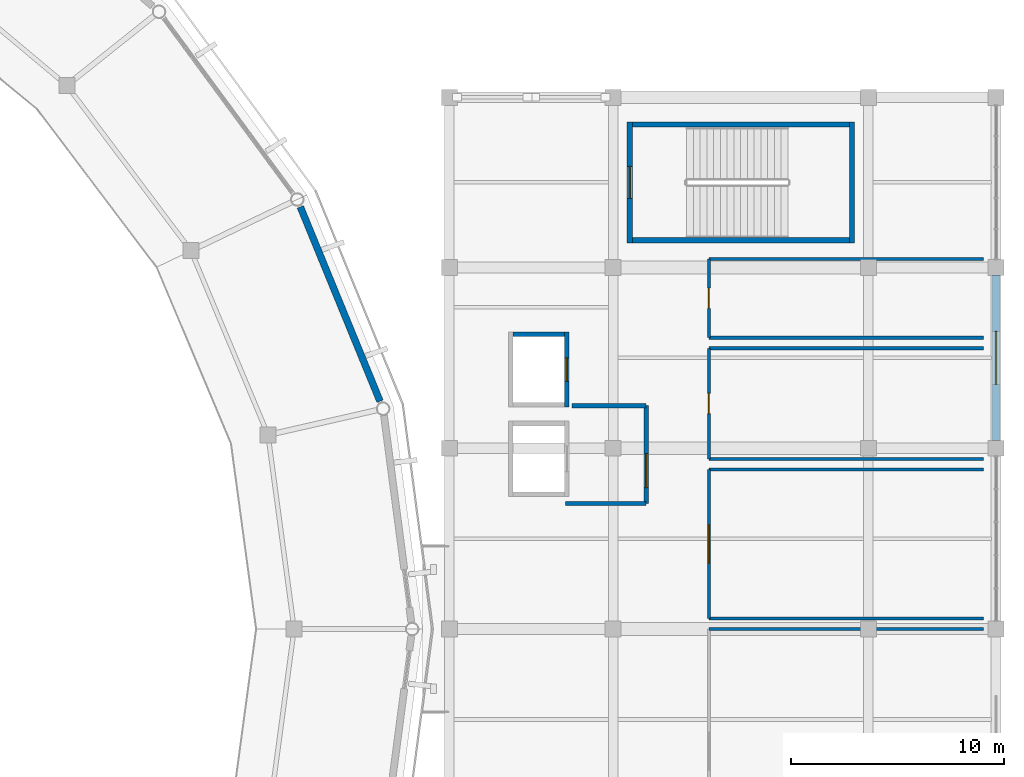
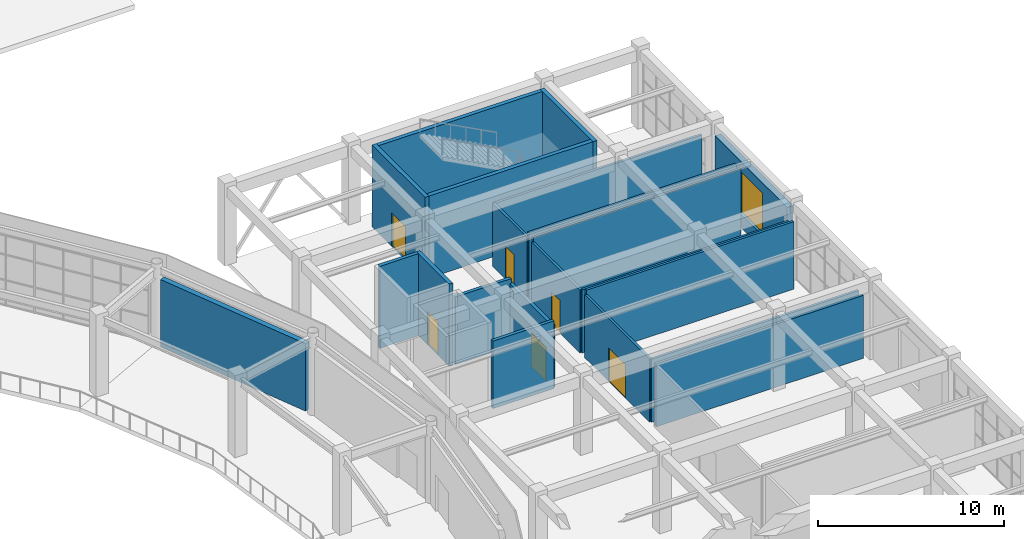
# One storey, part 58 of 70: 21 walls, 6 doors, 1 window, 7 openings.
"""IFC4 building model written with IfcOpenShell, lengths in metres."""

import ifcopenshell
import ifcopenshell.guid

model = None  # the IFC model being written
_history = None  # IfcOwnerHistory: only IFC2X3 demands one
_inside = {}  # id of a spatial element -> (the spatial element, [elements in it])
_under = {}  # id of a project, library or spatial element -> (it, [spatial elements below it])
_declared = {}  # id of a project -> (the project, [libraries it declares])
_typed = {}  # id of a type object -> (the type object, [elements of that type])
_made_of = {}  # id of a material, layer set ... -> (it, [elements and type objects made of it])


def new_model(schema):
    """Start an empty IFC model of exactly this schema.

    Asked for "IFC4X3", IfcOpenShell would pick the latest addendum, in which some entities
    have other attributes; the version numbers below select the first issue.
    IFC2X3 requires an IfcOwnerHistory on every rooted entity: one is made here for all.
    """
    global model, _history
    if schema == "IFC4X3":
        model = ifcopenshell.file(schema_version=(4, 3, 0, 0))
    else:
        model = ifcopenshell.file(schema=schema)
    _inside.clear()
    _under.clear()
    _declared.clear()
    _typed.clear()
    _made_of.clear()
    _history = None
    if model.schema == "IFC2X3":
        org = make("IfcOrganization", Name="unknown")
        user = make(
            "IfcPersonAndOrganization",
            ThePerson=make("IfcPerson", FamilyName="unknown"),
            TheOrganization=org,
        )
        app = make(
            "IfcApplication",
            ApplicationDeveloper=org,
            Version="unknown",
            ApplicationFullName="unknown",
            ApplicationIdentifier="unknown",
        )
        _history = make(
            "IfcOwnerHistory",
            OwningUser=user,
            OwningApplication=app,
            ChangeAction="ADDED",
            CreationDate=0,
        )
    return model


def make(cls, **values):
    """One entity of the class cls with the attributes given. An attribute that is None is left unset."""
    return model.create_entity(
        cls, **{name: value for name, value in values.items() if value is not None}
    )


def rooted(cls, **values):
    """An entity with a GlobalId (a new one), such as an element, a storey or a relation."""
    return make(cls, GlobalId=ifcopenshell.guid.new(), OwnerHistory=_history, **values)


def si_unit(unit_type, name, prefix=None):
    """IfcSIUnit, for example si_unit("LENGTHUNIT", "METRE", prefix="MILLI")."""
    return make("IfcSIUnit", UnitType=unit_type, Prefix=prefix, Name=name)


def assignment(units):
    """IfcUnitAssignment: the units of a project."""
    return None if units is None else make("IfcUnitAssignment", Units=units)


def point(xyz):
    """IfcCartesianPoint."""
    return None if xyz is None else make("IfcCartesianPoint", Coordinates=xyz)


def direction(xyz):
    """IfcDirection."""
    return None if xyz is None else make("IfcDirection", DirectionRatios=xyz)


def frame(location, z_axis=None, x_axis=None):
    """IfcAxis2Placement3D, a coordinate frame: its origin and axes. An axis left out is left unset."""
    return make(
        "IfcAxis2Placement3D",
        Location=point(location),
        Axis=direction(z_axis),
        RefDirection=direction(x_axis),
    )


def frame_2d(location, x_axis=None):
    """IfcAxis2Placement2D, a coordinate frame in the plane: its origin and x axis."""
    return make(
        "IfcAxis2Placement2D", Location=point(location), RefDirection=direction(x_axis)
    )


def origin():
    """The frame at (0, 0, 0) with its axes left unset."""
    return frame((0.0, 0.0, 0.0))


def place(relative_to, where):
    """IfcLocalPlacement: puts the frame where relative to a parent placement (None: the world)."""
    return make(
        "IfcLocalPlacement", PlacementRelTo=relative_to, RelativePlacement=where
    )


def context(
    kind, dimensions, precision=None, world=None, true_north=None, identifier=None
):
    """IfcGeometricRepresentationContext, for example the 3D "Model" context."""
    return make(
        "IfcGeometricRepresentationContext",
        ContextIdentifier=identifier,
        ContextType=kind,
        CoordinateSpaceDimension=dimensions,
        Precision=precision,
        WorldCoordinateSystem=world,
        TrueNorth=true_north,
    )


def subcontext(parent, identifier, kind, view, scale=None):
    """IfcGeometricRepresentationSubContext, for example "Body" below "Model"."""
    return make(
        "IfcGeometricRepresentationSubContext",
        ContextIdentifier=identifier,
        ContextType=kind,
        ParentContext=parent,
        TargetScale=scale,
        TargetView=view,
    )


def project(units=None, contexts=None):
    """IfcProject with its units and contexts."""
    return rooted(
        "IfcProject",
        Name="project",
        RepresentationContexts=contexts,
        UnitsInContext=assignment(units),
    )


def spatial(cls, under=None, at=None, **own):
    """A site, building, storey or space (cls), placed at a placement, below another one or the project."""
    s = rooted(cls, ObjectPlacement=at, **own)
    if under is not None:
        _under.setdefault(under.id(), (under, []))[1].append(s)
    return s


def profile(cls, at=None, kind="AREA", **sizes):
    """A parametric profile (cls). Its sizes go by their IFC names, for example OverallWidth=200.0."""
    return make(cls, ProfileType=kind, Position=at, **sizes)


def rectangle(**sizes):
    """IfcRectangleProfileDef."""
    return profile("IfcRectangleProfileDef", **sizes)


def extrude(swept, where, along, depth):
    """IfcExtrudedAreaSolid: the profile swept, set in the frame where, extruded along a direction by depth."""
    return make(
        "IfcExtrudedAreaSolid",
        SweptArea=swept,
        Position=where,
        ExtrudedDirection=direction(along),
        Depth=depth,
    )


def shape(context_of_items, identifier, shape_type, items):
    """IfcShapeRepresentation: the items that make up one representation, for example the "Body"."""
    return make(
        "IfcShapeRepresentation",
        ContextOfItems=context_of_items,
        RepresentationIdentifier=identifier,
        RepresentationType=shape_type,
        Items=items,
    )


def material(Name=None, Category=None):
    """IfcMaterial."""
    return make("IfcMaterial", Name=Name, Category=Category)


def layer(
    of_material, thickness, ventilated=None, Name=None, Category=None, Priority=None
):
    """IfcMaterialLayer: one layer of a wall or slab, of a material (None: an air gap)."""
    return make(
        "IfcMaterialLayer",
        Material=of_material,
        LayerThickness=thickness,
        IsVentilated=ventilated,
        Name=Name,
        Category=Category,
        Priority=Priority,
    )


def layer_set(layers, Name=None):
    """IfcMaterialLayerSet."""
    return make("IfcMaterialLayerSet", MaterialLayers=layers, LayerSetName=Name)


def made_of(thing, what):
    """Note that an element or type object is made of a material, layer set ...; save() writes the relation."""
    if what is not None:
        _made_of.setdefault(what.id(), (what, []))[1].append(thing)
    return thing


def type_object(cls, material=None, **own):
    """A type object (cls), such as IfcWallType, which elements share."""
    return made_of(rooted(cls, **own), material)


def element(
    cls,
    number,
    at=None,
    inside=None,
    cuts=None,
    type_object=None,
    material=None,
    context=None,
    identifier="Body",
    shape_type=None,
    held_by="IfcProductDefinitionShape",
    body=None,
    shapes=None,
    **own,
):
    """One element of the class cls, such as IfcWall. Its Tag is "e" and its number.

    at: its placement. inside: the storey or other place that contains it. cuts: it is an
    opening in that element (IfcRelVoidsElement). A single representation is given by context,
    identifier, shape_type and body (its items); several are given by shapes. held_by: the class
    of the entity that holds the representations. save() writes the other relations.
    """
    e = rooted(cls, Tag="e%d" % number, ObjectPlacement=at, **own)
    if body is not None:
        shapes = [shape(context, identifier, shape_type, body)]
    if shapes is not None:
        e.Representation = make(held_by, Representations=shapes)
    if inside is not None:
        _inside.setdefault(inside.id(), (inside, []))[1].append(e)
    if cuts is not None:
        rooted(
            "IfcRelVoidsElement", RelatingBuildingElement=cuts, RelatedOpeningElement=e
        )
    if type_object is not None:
        _typed.setdefault(type_object.id(), (type_object, []))[1].append(e)
    return made_of(e, material)


def fill(opening, filler):
    """IfcRelFillsElement: the door or window that sits in an opening."""
    return rooted(
        "IfcRelFillsElement",
        RelatingOpeningElement=opening,
        RelatedBuildingElement=filler,
    )


def aggregate(whole, parts):
    """IfcRelAggregates: a whole, such as a stair, and the parts it consists of."""
    return rooted("IfcRelAggregates", RelatingObject=whole, RelatedObjects=parts)


def save(model, path):
    """Write the relations noted so far, then the file.

    IfcRelAggregates (storeys below a building ...), IfcRelContainedInSpatialStructure (elements
    in a storey), IfcRelDefinesByType, IfcRelAssociatesMaterial and IfcRelDeclares: one each for
    every whole, place, type object, material and project.
    """
    for whole, parts in _under.values():
        aggregate(whole, parts)
    for where, things in _inside.values():
        rooted(
            "IfcRelContainedInSpatialStructure",
            RelatedElements=things,
            RelatingStructure=where,
        )
    for kind, things in _typed.values():
        rooted("IfcRelDefinesByType", RelatedObjects=things, RelatingType=kind)
    for what, things in _made_of.values():
        rooted("IfcRelAssociatesMaterial", RelatedObjects=things, RelatingMaterial=what)
    for by, libraries in _declared.values():
        rooted("IfcRelDeclares", RelatingContext=by, RelatedDefinitions=libraries)
    model.write(path)


model = new_model("IFC4")

# Units and contexts
model_context = context("Model", 3, precision=1e-05, world=origin(), true_north=direction((0.0, 1.0)))
body_context = subcontext(model_context, "Body", "Model", "MODEL_VIEW")
ifc_project = project(units=[si_unit("LENGTHUNIT", "METRE"), si_unit("AREAUNIT", "SQUARE_METRE"), si_unit("VOLUMEUNIT", "CUBIC_METRE"), si_unit("PLANEANGLEUNIT", "RADIAN"), si_unit("MASSUNIT", "GRAM", prefix="KILO")], contexts=[model_context])

# Site, building, storey
site_placement = place(None, origin())
site = spatial("IfcSite", under=ifc_project, at=site_placement, CompositionType="ELEMENT")
building_placement = place(site_placement, origin())
building = spatial("IfcBuilding", under=site, at=building_placement, Name="Cuetzalor Civic Arena", CompositionType="ELEMENT")
storey_placement = place(building_placement, frame((0.0, 0.0, 21.0)))
storey = spatial("IfcBuildingStorey", under=building, at=storey_placement, Name="L04", CompositionType="ELEMENT", Elevation=21.0)

# Walls
ifc_material_1 = material(Name="Acoustic steel-stud gypsum partition", Category="steel")
ifc_layer_1 = layer(ifc_material_1, 0.14990234375)
ifc_layer_set_1 = layer_set([ifc_layer_1], Name="Acoustic steel-stud gypsum partition")
wall_type_1 = type_object("IfcWallType", Name="AcousticGypsumPartition_150", PredefinedType="PARTITIONING", material=ifc_layer_set_1)
wall_1_placement = place(storey_placement, frame((68.5, 0.0, 0.0), z_axis=(0.0, 0.0, 1.0), x_axis=(1.0, 0.0, 0.0)))
element("IfcWall", 1, at=wall_1_placement, inside=storey, type_object=wall_type_1, Name="Interior Partition IWALL:L04:0526", PredefinedType="PARTITIONING", context=body_context, shape_type="SweptSolid", body=[
    extrude(rectangle(XDim=12.89990234375, YDim=0.14990234375, at=frame_2d((6.449951171875, 0.0))), origin(), (0.0, 0.0, 1.0), 4.14501953125),
])
wall_2_placement = place(storey_placement, frame((68.5, 7.5, 0.0), z_axis=(0.0, 0.0, 1.0), x_axis=(1.0, 0.0, 0.0)))
element("IfcWall", 2, at=wall_2_placement, inside=storey, type_object=wall_type_1, Name="Interior Partition IWALL:L04:0529", PredefinedType="PARTITIONING", context=body_context, shape_type="SweptSolid", body=[
    extrude(rectangle(XDim=12.89990234375, YDim=0.14990234375, at=frame_2d((6.449951171875, 0.0))), origin(), (0.0, 0.0, 1.0), 4.445068359375),
])
wall_3_placement = place(storey_placement, frame((81.39990234375, 0.5, 0.0), z_axis=(0.0, 0.0, 1.0), x_axis=(-1.0, 0.0, 0.0)))
element("IfcWall", 3, at=wall_3_placement, inside=storey, type_object=wall_type_1, Name="Interior Partition IWALL:L04:0530", PredefinedType="PARTITIONING", context=body_context, shape_type="SweptSolid", body=[
    extrude(rectangle(XDim=12.89990234375, YDim=0.14990234375, at=frame_2d((6.449951171875, 0.0))), origin(), (0.0, 0.0, 1.0), 4.14501953125),
])

# Wall, opening, door
wall_4_placement = place(storey_placement, frame((68.5, 0.5, 0.0), z_axis=(0.0, 0.0, 1.0), x_axis=(0.0, 1.0, 0.0)))
wall_4 = element("IfcWall", 4, at=wall_4_placement, inside=storey, type_object=wall_type_1, Name="Interior Partition IWALL:L04:0531", PredefinedType="PARTITIONING", context=body_context, shape_type="SweptSolid", body=[
    extrude(rectangle(XDim=7.0, YDim=0.14990234375, at=frame_2d((3.5, 0.0))), origin(), (0.0, 0.0, 1.0), 4.14501953125),
])
opening_1_placement = place(wall_4_placement, frame((2.60009765625, 0.0, 0.0)))
opening_1 = element("IfcOpeningElement", 5, at=opening_1_placement, cuts=wall_4, Name="Opening ID-06", PredefinedType="OPENING", context=body_context, shape_type="SweptSolid", body=[
    extrude(rectangle(XDim=1.800048828125, YDim=2.199951171875, at=frame_2d((0.89990234375, 1.10009765625))), frame((0.0, 0.0849609375, 0.0), z_axis=(0.0, -1.0, 0.0), x_axis=(1.0, 0.0, 0.0)), (0.0, 0.0, 1.0), 0.169921875),
])
ifc_material_2 = material(Name="Glazed bronze acoustic double door", Category="metal")
door_type_1 = type_object("IfcDoorType", Name="PublicDoubleDoor_1800x2200", OperationType="DOUBLE_DOOR_SINGLE_SWING", PredefinedType="DOOR", material=ifc_material_2)
door_1_placement = place(opening_1_placement, origin())
door_1 = element("IfcDoor", 6, at=door_1_placement, inside=storey, type_object=door_type_1, Name="Door to Panoramic Terrace Bar East L04", OperationType="DOUBLE_DOOR_SINGLE_SWING", OverallHeight=2.199951171875, OverallWidth=1.800048828125, PredefinedType="DOOR", context=body_context, shape_type="SweptSolid", body=[
    extrude(rectangle(XDim=1.800048828125, YDim=2.199951171875, at=frame_2d((0.89990234375, 1.10009765625))), frame((0.0, 0.02490234375, 0.0), z_axis=(0.0, -1.0, 0.0), x_axis=(1.0, 0.0, 0.0)), (0.0, 0.0, 1.0), 0.050048828125),
])
fill(opening_1, door_1)

# Walls
wall_5_placement = place(storey_placement, frame((68.5, 13.199951171875, 0.0), z_axis=(0.0, 0.0, 1.0), x_axis=(1.0, 0.0, 0.0)))
element("IfcWall", 7, at=wall_5_placement, inside=storey, type_object=wall_type_1, Name="Interior Partition IWALL:L04:0532", PredefinedType="PARTITIONING", context=body_context, shape_type="SweptSolid", body=[
    extrude(rectangle(XDim=12.89990234375, YDim=0.14990234375, at=frame_2d((6.449951171875, 0.0))), origin(), (0.0, 0.0, 1.0), 4.445068359375),
])
wall_6_placement = place(storey_placement, frame((81.39990234375, 8.0, 0.0), z_axis=(0.0, 0.0, 1.0), x_axis=(-1.0, 0.0, 0.0)))
element("IfcWall", 8, at=wall_6_placement, inside=storey, type_object=wall_type_1, Name="Interior Partition IWALL:L04:0533", PredefinedType="PARTITIONING", context=body_context, shape_type="SweptSolid", body=[
    extrude(rectangle(XDim=12.89990234375, YDim=0.14990234375, at=frame_2d((6.449951171875, 0.0))), origin(), (0.0, 0.0, 1.0), 4.14501953125),
])

# Wall, opening, door
wall_7_placement = place(storey_placement, frame((68.5, 8.0, 0.0), z_axis=(0.0, 0.0, 1.0), x_axis=(0.0, 1.0, 0.0)))
wall_7 = element("IfcWall", 9, at=wall_7_placement, inside=storey, type_object=wall_type_1, Name="Interior Partition IWALL:L04:0534", PredefinedType="PARTITIONING", context=body_context, shape_type="SweptSolid", body=[
    extrude(rectangle(XDim=5.199951171875, YDim=0.14990234375, at=frame_2d((2.60009765625, 0.0))), origin(), (0.0, 0.0, 1.0), 4.14501953125),
])
opening_2_placement = place(wall_7_placement, frame((2.125, 0.0, 0.0)))
opening_2 = element("IfcOpeningElement", 10, at=opening_2_placement, cuts=wall_7, Name="Opening ID-03", PredefinedType="OPENING", context=body_context, shape_type="SweptSolid", body=[
    extrude(rectangle(XDim=0.949951171875, YDim=2.14990234375, at=frame_2d((0.47509765625, 1.074951171875))), frame((0.0, 0.0849609375, 0.0), z_axis=(0.0, -1.0, 0.0), x_axis=(1.0, 0.0, 0.0)), (0.0, 0.0, 1.0), 0.169921875),
])
ifc_material_3 = material(Name="Painted steel frame and solid timber leaf", Category="steel")
door_type_2 = type_object("IfcDoorType", Name="InteriorSingleDoor_950x2150", OperationType="NOTDEFINED", PredefinedType="DOOR", material=ifc_material_3)
door_2_placement = place(opening_2_placement, origin())
door_2 = element("IfcDoor", 11, at=door_2_placement, inside=storey, type_object=door_type_2, Name="Door to Public Restroom East L04", OperationType="SINGLE_SWING_LEFT", OverallHeight=2.14990234375, OverallWidth=0.949951171875, PredefinedType="DOOR", context=body_context, shape_type="SweptSolid", body=[
    extrude(rectangle(XDim=0.949951171875, YDim=2.14990234375, at=frame_2d((0.47509765625, 1.074951171875))), frame((0.0, 0.02490234375, 0.0), z_axis=(0.0, -1.0, 0.0), x_axis=(1.0, 0.0, 0.0)), (0.0, 0.0, 1.0), 0.050048828125),
])
fill(opening_2, door_2)

# Walls
wall_8_placement = place(storey_placement, frame((68.5, 17.39990234375, 0.0), z_axis=(0.0, 0.0, 1.0), x_axis=(1.0, 0.0, 0.0)))
element("IfcWall", 12, at=wall_8_placement, inside=storey, type_object=wall_type_1, Name="Interior Partition IWALL:L04:0535", PredefinedType="PARTITIONING", context=body_context, shape_type="SweptSolid", body=[
    extrude(rectangle(XDim=12.89990234375, YDim=0.14990234375, at=frame_2d((6.449951171875, 0.0))), origin(), (0.0, 0.0, 1.0), 4.14501953125),
])
wall_9_placement = place(storey_placement, frame((81.39990234375, 13.699951171875, 0.0), z_axis=(0.0, 0.0, 1.0), x_axis=(-1.0, 0.0, 0.0)))
element("IfcWall", 13, at=wall_9_placement, inside=storey, type_object=wall_type_1, Name="Interior Partition IWALL:L04:0536", PredefinedType="PARTITIONING", context=body_context, shape_type="SweptSolid", body=[
    extrude(rectangle(XDim=12.89990234375, YDim=0.14990234375, at=frame_2d((6.449951171875, 0.0))), origin(), (0.0, 0.0, 1.0), 4.445068359375),
])

# Wall, opening, door
wall_10_placement = place(storey_placement, frame((68.5, 13.699951171875, 0.0), z_axis=(0.0, 0.0, 1.0), x_axis=(0.0, 1.0, 0.0)))
wall_10 = element("IfcWall", 14, at=wall_10_placement, inside=storey, type_object=wall_type_1, Name="Interior Partition IWALL:L04:0537", PredefinedType="PARTITIONING", context=body_context, shape_type="SweptSolid", body=[
    extrude(rectangle(XDim=3.699951171875, YDim=0.14990234375, at=frame_2d((1.85009765625, 0.0))), origin(), (0.0, 0.0, 1.0), 4.14501953125),
])
opening_3_placement = place(wall_10_placement, frame((1.375, 0.0, 0.0)))
opening_3 = element("IfcOpeningElement", 15, at=opening_3_placement, cuts=wall_10, Name="Opening ID-03", PredefinedType="OPENING", context=body_context, shape_type="SweptSolid", body=[
    extrude(rectangle(XDim=0.949951171875, YDim=2.14990234375, at=frame_2d((0.47509765625, 1.074951171875))), frame((0.0, 0.0849609375, 0.0), z_axis=(0.0, -1.0, 0.0), x_axis=(1.0, 0.0, 0.0)), (0.0, 0.0, 1.0), 0.169921875),
])
door_3_placement = place(opening_3_placement, origin())
door_3 = element("IfcDoor", 16, at=door_3_placement, inside=storey, type_object=door_type_2, Name="Door to Accessible WC East L04", OperationType="SINGLE_SWING_RIGHT", OverallHeight=2.14990234375, OverallWidth=0.949951171875, PredefinedType="DOOR", context=body_context, shape_type="SweptSolid", body=[
    extrude(rectangle(XDim=0.949951171875, YDim=2.14990234375, at=frame_2d((0.47509765625, 1.074951171875))), frame((0.0, 0.02490234375, 0.0), z_axis=(0.0, -1.0, 0.0), x_axis=(1.0, 0.0, 0.0)), (0.0, 0.0, 1.0), 0.050048828125),
])
fill(opening_3, door_3)

ifc_material_4 = material(Name="Concrete C40/50", Category="concrete")
ifc_layer_2 = layer(ifc_material_4, 0.25)
ifc_layer_set_2 = layer_set([ifc_layer_2], Name="Concrete C40/50")
wall_type_2 = type_object("IfcWallType", Name="ConcreteCoreShearWall_250", PredefinedType="SHEAR", material=ifc_layer_set_2)
wall_11_placement = place(storey_placement, frame((64.77490234375, 18.14990234375, 0.0), z_axis=(0.0, 0.0, 1.0), x_axis=(0.0, 1.0, 0.0)))
wall_11 = element("IfcWall", 17, at=wall_11_placement, inside=storey, type_object=wall_type_2, Name="Stair Core Shear Wall ST-22-L04-W", PredefinedType="SHEAR", context=body_context, shape_type="SweptSolid", body=[
    extrude(rectangle(XDim=5.7001953125, YDim=0.25, at=frame_2d((2.85009765625, 0.0))), origin(), (0.0, 0.0, 1.0), 5.39990234375),
])
opening_4_placement = place(wall_11_placement, frame((2.10009765625, 0.0, 0.0)))
opening_4 = element("IfcOpeningElement", 18, at=opening_4_placement, cuts=wall_11, Name="Opening FD-03", PredefinedType="OPENING", context=body_context, shape_type="SweptSolid", body=[
    extrude(rectangle(XDim=1.5, YDim=2.199951171875, at=frame_2d((0.75, 1.10009765625))), frame((0.0, 0.135009765625, 0.0), z_axis=(0.0, -1.0, 0.0), x_axis=(1.0, 0.0, 0.0)), (0.0, 0.0, 1.0), 0.27001953125),
])
ifc_material_5 = material(Name="Fire-rated steel stair exit double door", Category="steel")
door_type_3 = type_object("IfcDoorType", Name="StairFireDoubleDoor_1500x2200", OperationType="DOUBLE_DOOR_SINGLE_SWING", PredefinedType="DOOR", material=ifc_material_5)
door_4_placement = place(opening_4_placement, origin())
door_4 = element("IfcDoor", 19, at=door_4_placement, inside=storey, type_object=door_type_3, Name="Fire Stair Door ST-22 L04", OperationType="DOUBLE_DOOR_SINGLE_SWING", OverallHeight=2.199951171875, OverallWidth=1.5, PredefinedType="DOOR", context=body_context, shape_type="SweptSolid", body=[
    extrude(rectangle(XDim=1.5, YDim=2.199951171875, at=frame_2d((0.75, 1.10009765625))), frame((0.0, 0.02490234375, 0.0), z_axis=(0.0, -1.0, 0.0), x_axis=(1.0, 0.0, 0.0)), (0.0, 0.0, 1.0), 0.050048828125),
])
fill(opening_4, door_4)

# Walls
wall_12_placement = place(storey_placement, frame((64.89990234375, 23.72509765625, 0.0), z_axis=(0.0, 0.0, 1.0), x_axis=(1.0, 0.0, 0.0)))
element("IfcWall", 20, at=wall_12_placement, inside=storey, type_object=wall_type_2, Name="Stair Core Shear Wall ST-22-L04-N", PredefinedType="SHEAR", context=body_context, shape_type="SweptSolid", body=[
    extrude(rectangle(XDim=10.2001953125, YDim=0.25, at=frame_2d((5.10009765625, 0.0))), origin(), (0.0, 0.0, 1.0), 5.39990234375),
])
wall_13_placement = place(storey_placement, frame((75.22509765625, 23.85009765625, 0.0), z_axis=(0.0, 0.0, 1.0), x_axis=(0.0, -1.0, 0.0)))
element("IfcWall", 21, at=wall_13_placement, inside=storey, type_object=wall_type_2, Name="Stair Core Shear Wall ST-22-L04-E", PredefinedType="SHEAR", context=body_context, shape_type="SweptSolid", body=[
    extrude(rectangle(XDim=5.7001953125, YDim=0.25, at=frame_2d((2.85009765625, 0.0))), origin(), (0.0, 0.0, 1.0), 5.39990234375),
])
wall_14_placement = place(storey_placement, frame((75.10009765625, 18.27490234375, 0.0), z_axis=(0.0, 0.0, 1.0), x_axis=(-1.0, 0.0, 0.0)))
element("IfcWall", 22, at=wall_14_placement, inside=storey, type_object=wall_type_2, Name="Stair Core Shear Wall ST-22-L04-S", PredefinedType="SHEAR", context=body_context, shape_type="SweptSolid", body=[
    extrude(rectangle(XDim=10.2001953125, YDim=0.25, at=frame_2d((5.10009765625, 0.0))), origin(), (0.0, 0.0, 1.0), 5.39990234375),
])

# Wall, opening, door
ifc_material_6 = material(Name="Fire-rated masonry and gypsum partition", Category="masonry")
ifc_layer_3 = layer(ifc_material_6, 0.199951171875)
ifc_layer_set_3 = layer_set([ifc_layer_3], Name="Fire-rated masonry and gypsum partition")
wall_type_3 = type_object("IfcWallType", Name="FireCompartmentWall_200", PredefinedType="PARTITIONING", material=ifc_layer_set_3)
wall_15_placement = place(storey_placement, frame((65.550048828125, 10.5, 0.0), z_axis=(0.0, 0.0, 1.0), x_axis=(0.0, -1.0, 0.0)))
wall_15 = element("IfcWall", 23, at=wall_15_placement, inside=storey, type_object=wall_type_3, Name="Interior Partition IWALL:L04:0067", PredefinedType="PARTITIONING", context=body_context, shape_type="SweptSolid", body=[
    extrude(rectangle(XDim=4.60009765625, YDim=0.199951171875, at=frame_2d((2.300048828125, 0.0))), origin(), (0.0, 0.0, 1.0), 4.14501953125),
])
opening_5_placement = place(wall_15_placement, frame((2.25, 0.0, 0.0)))
opening_5 = element("IfcOpeningElement", 24, at=opening_5_placement, cuts=wall_15, Name="Opening FD-05", PredefinedType="OPENING", context=body_context, shape_type="SweptSolid", body=[
    extrude(rectangle(XDim=1.60009765625, YDim=2.199951171875, at=frame_2d((0.800048828125, 1.10009765625))), frame((0.0, 0.10986328125, 0.0), z_axis=(0.0, -1.0, 0.0), x_axis=(1.0, 0.0, 0.0)), (0.0, 0.0, 1.0), 0.219970703125),
])
ifc_material_7 = material(Name="Fire-rated smoke-seal lobby double door", Category="steel")
door_type_4 = type_object("IfcDoorType", Name="FireLobbyDoubleDoor_1600x2200", OperationType="DOUBLE_DOOR_SINGLE_SWING", PredefinedType="DOOR", material=ifc_material_7)
door_5_placement = place(opening_5_placement, origin())
door_5 = element("IfcDoor", 25, at=door_5_placement, inside=storey, type_object=door_type_4, Name="Door to Firefighting Lift Lobby LF-04 L04", OperationType="DOUBLE_DOOR_SINGLE_SWING", OverallHeight=2.199951171875, OverallWidth=1.60009765625, PredefinedType="DOOR", context=body_context, shape_type="SweptSolid", body=[
    extrude(rectangle(XDim=1.60009765625, YDim=2.199951171875, at=frame_2d((0.800048828125, 1.10009765625))), frame((0.0, 0.02490234375, 0.0), z_axis=(0.0, -1.0, 0.0), x_axis=(1.0, 0.0, 0.0)), (0.0, 0.0, 1.0), 0.050048828125),
])
fill(opening_5, door_5)

# Walls
wall_16_placement = place(storey_placement, frame((62.070068359375, 10.5, 0.0), z_axis=(0.0, 0.0, 1.0), x_axis=(1.0, 0.0, 0.0)))
element("IfcWall", 26, at=wall_16_placement, inside=storey, type_object=wall_type_3, Name="Interior Partition IWALL:L04:0068", PredefinedType="PARTITIONING", context=body_context, shape_type="SweptSolid", body=[
    extrude(rectangle(XDim=3.47998046875, YDim=0.199951171875, at=frame_2d((1.739990234375, 0.0))), origin(), (0.0, 0.0, 1.0), 4.445068359375),
])
wall_17_placement = place(storey_placement, frame((65.550048828125, 5.89990234375, 0.0), z_axis=(0.0, 0.0, 1.0), x_axis=(-1.0, 0.0, 0.0)))
element("IfcWall", 27, at=wall_17_placement, inside=storey, type_object=wall_type_3, Name="Interior Partition IWALL:L04:0069", PredefinedType="PARTITIONING", context=body_context, shape_type="SweptSolid", body=[
    extrude(rectangle(XDim=3.800048828125, YDim=0.199951171875, at=frame_2d((1.89990234375, 0.0))), origin(), (0.0, 0.0, 1.0), 4.445068359375),
])
ifc_material_8 = material(Name="Precast concrete C40/50 insulated cladding", Category="concrete")
ifc_layer_4 = layer(ifc_material_8, 0.320068359375)
ifc_layer_set_4 = layer_set([ifc_layer_4], Name="Precast concrete C40/50 insulated cladding")
wall_type_4 = type_object("IfcWallType", Name="InsulatedPrecastWall_320", PredefinedType="SOLIDWALL", material=ifc_layer_set_4)
wall_18_placement = place(storey_placement, frame((49.2919921875, 19.845703125, 0.0), z_axis=(0.0, 0.0, 1.0), x_axis=(0.379382703047, -0.925239841678, 0.0)))
element("IfcWall", 28, at=wall_18_placement, inside=storey, type_object=wall_type_4, Name="Drum Acoustic Backing Wall L04-058", PredefinedType="SOLIDWALL", context=body_context, shape_type="SweptSolid", body=[
    extrude(rectangle(XDim=9.874267578125, YDim=0.320068359375, at=frame_2d((4.93701171875, 0.0))), origin(), (0.0, 0.0, 1.0), 4.431884765625),
])
ifc_material_9 = material(Name="Concrete C40/50", Category="concrete")
ifc_layer_5 = layer(ifc_material_9, 0.219970703125)
ifc_layer_set_5 = layer_set([ifc_layer_5], Name="Concrete C40/50")
wall_type_5 = type_object("IfcWallType", Name="LiftShaftShearWall_220", PredefinedType="SHEAR", material=ifc_layer_set_5)
wall_19_placement = place(storey_placement, frame((59.300048828125, 13.860107421875, 0.0), z_axis=(0.0, 0.0, 1.0), x_axis=(1.0, 0.0, 0.0)))
element("IfcWall", 29, at=wall_19_placement, inside=storey, type_object=wall_type_5, Name="Lift Shaft Wall LP-06-L04-N", PredefinedType="SHEAR", context=body_context, shape_type="SweptSolid", body=[
    extrude(rectangle(XDim=2.39990234375, YDim=0.219970703125, at=frame_2d((1.199951171875, 0.0))), origin(), (0.0, 0.0, 1.0), 5.39990234375),
])

# Wall, opening, door
wall_20_placement = place(storey_placement, frame((61.81005859375, 13.969970703125, 0.0), z_axis=(0.0, 0.0, 1.0), x_axis=(0.0, -1.0, 0.0)))
wall_20 = element("IfcWall", 30, at=wall_20_placement, inside=storey, type_object=wall_type_5, Name="Lift Shaft Wall LP-06-L04-E", PredefinedType="SHEAR", context=body_context, shape_type="SweptSolid", body=[
    extrude(rectangle(XDim=3.5400390625, YDim=0.219970703125, at=frame_2d((1.77001953125, 0.0))), origin(), (0.0, 0.0, 1.0), 5.39990234375),
])
opening_6_placement = place(wall_20_placement, frame((1.219970703125, 0.0, 0.0)))
opening_6 = element("IfcOpeningElement", 31, at=opening_6_placement, cuts=wall_20, Name="Opening LD-01", PredefinedType="OPENING", context=body_context, shape_type="SweptSolid", body=[
    extrude(rectangle(XDim=1.10009765625, YDim=2.199951171875, at=frame_2d((0.550048828125, 1.10009765625))), frame((0.0, 0.1201171875, 0.0), z_axis=(0.0, -1.0, 0.0), x_axis=(1.0, 0.0, 0.0)), (0.0, 0.0, 1.0), 0.239990234375),
])
ifc_material_10 = material(Name="Brushed stainless steel sliding lift landing door", Category="steel")
door_type_5 = type_object("IfcDoorType", Name="LiftLandingSlidingDoor_1100x2200", OperationType="SLIDING_TO_LEFT", PredefinedType="DOOR", material=ifc_material_10)
door_6_placement = place(opening_6_placement, origin())
door_6 = element("IfcDoor", 32, at=door_6_placement, inside=storey, type_object=door_type_5, Name="Lift Landing Sliding Door LP-06 L04", OperationType="SLIDING_TO_LEFT", OverallHeight=2.199951171875, OverallWidth=1.10009765625, PredefinedType="DOOR", context=body_context, shape_type="SweptSolid", body=[
    extrude(rectangle(XDim=1.10009765625, YDim=2.199951171875, at=frame_2d((0.550048828125, 1.10009765625))), frame((0.0, 0.02490234375, 0.0), z_axis=(0.0, -1.0, 0.0), x_axis=(1.0, 0.0, 0.0)), (0.0, 0.0, 1.0), 0.050048828125),
])
fill(opening_6, door_6)

# Wall, opening, window
ifc_material_11 = material(Name="Polychrome Talavera ceramic on Concrete C35/45", Category="concrete")
ifc_layer_6 = layer(ifc_material_11, 0.3798828125)
ifc_layer_set_6 = layer_set([ifc_layer_6], Name="Polychrome Talavera ceramic on Concrete C35/45")
wall_type_6 = type_object("IfcWallType", Name="TalaveraSpandrelWall_380", PredefinedType="SOLIDWALL", material=ifc_layer_set_6)
wall_21_placement = place(storey_placement, frame((82.0, 16.64306640625, 0.0), z_axis=(0.0, 0.0, 1.0), x_axis=(0.0, -1.0, 0.0)))
wall_21 = element("IfcWall", 33, at=wall_21_placement, inside=storey, type_object=wall_type_6, Name="V4E Outer Talavera Wall L04-177", PredefinedType="SOLIDWALL", context=body_context, shape_type="SweptSolid", body=[
    extrude(rectangle(XDim=7.7861328125, YDim=0.3798828125, at=frame_2d((3.89306640625, 0.0))), origin(), (0.0, 0.0, 1.0), 4.360107421875),
])
opening_7_placement = place(wall_21_placement, frame((2.64306640625, 0.0, 0.89990234375)))
opening_7 = element("IfcOpeningElement", 34, at=opening_7_placement, cuts=wall_21, Name="Opening WN-62", PredefinedType="OPENING", context=body_context, shape_type="SweptSolid", body=[
    extrude(rectangle(XDim=2.5, YDim=2.800048828125, at=frame_2d((1.25, 1.39990234375))), frame((0.0, 0.199951171875, 0.0), z_axis=(0.0, -1.0, 0.0), x_axis=(1.0, 0.0, 0.0)), (0.0, 0.0, 1.0), 0.39990234375),
])
ifc_material_12 = material(Name="Anodised bronze aluminium and low-E solar glass", Category="aluminium")
window_type = type_object("IfcWindowType", Name="BronzeThermalWindow_2500x2800", PartitioningType="DOUBLE_PANEL_VERTICAL", PredefinedType="WINDOW", material=ifc_material_12)
window_placement = place(opening_7_placement, origin())
window = element("IfcWindow", 35, at=window_placement, inside=storey, type_object=window_type, Name="V4E Facade Window L04-0062", OverallHeight=2.800048828125, OverallWidth=2.5, PartitioningType="SINGLE_PANEL", PredefinedType="WINDOW", context=body_context, shape_type="SweptSolid", body=[
    extrude(rectangle(XDim=2.5, YDim=2.800048828125, at=frame_2d((1.25, 1.39990234375))), frame((0.0, 0.030029296875, 0.0), z_axis=(0.0, -1.0, 0.0), x_axis=(1.0, 0.0, 0.0)), (0.0, 0.0, 1.0), 0.06005859375),
])
fill(opening_7, window)

save(model, "model.ifc")
